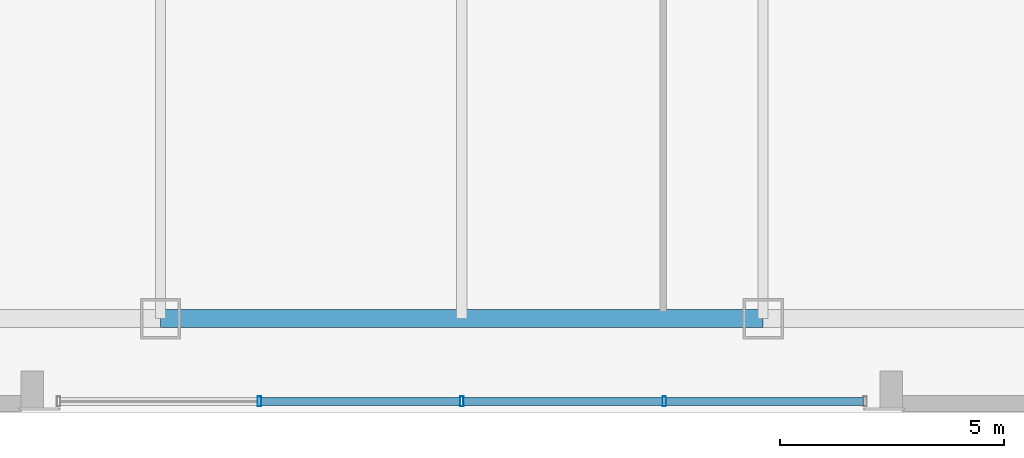
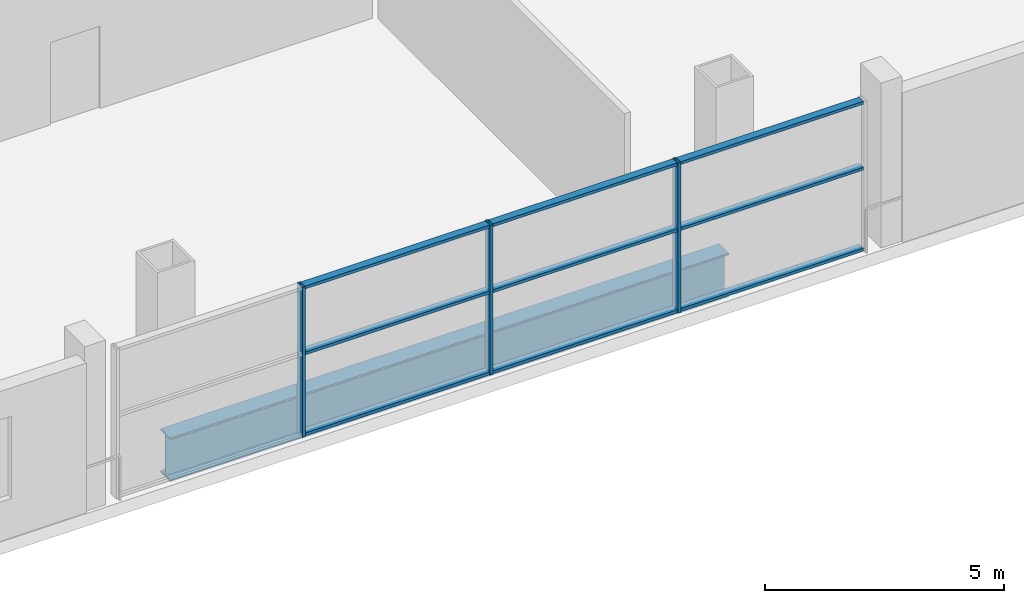
# One storey, part 4 of 21: 12 members, 1 beam, 1 element without a shape of its own.
"""IFC4 building model written with IfcOpenShell, lengths in metres."""

from ifc_helpers import new_model, si_unit, direction, frame, origin, origin_2d, place, context, subcontext, project, spatial, hollow_rectangle, i_section, extrude, material, layer, layer_set, material_profile, profile_set, type_object, element, aggregate, save


model = new_model("IFC4")

# Units and contexts
model_context = context("Model", 3, precision=1e-05, world=origin(), true_north=direction((0.0, 1.0)))
body_context = subcontext(model_context, "Body", "Model", "MODEL_VIEW")
ifc_project = project(units=[si_unit("LENGTHUNIT", "METRE"), si_unit("AREAUNIT", "SQUARE_METRE"), si_unit("VOLUMEUNIT", "CUBIC_METRE"), si_unit("PLANEANGLEUNIT", "RADIAN"), si_unit("MASSUNIT", "GRAM", prefix="KILO")], contexts=[model_context])

# Site, building, storey
site_placement = place(None, origin())
site = spatial("IfcSite", under=ifc_project, at=site_placement, CompositionType="ELEMENT")
building_placement = place(site_placement, origin())
building = spatial("IfcBuilding", under=site, at=building_placement, Name="Qhalaya Broadcast Tower", CompositionType="ELEMENT")
storey_placement = place(building_placement, frame((0.0, 0.0, 17.699951171875)))
storey = spatial("IfcBuildingStorey", under=building, at=storey_placement, Name="L04", CompositionType="ELEMENT", Elevation=17.699951171875)

# Beam
ifc_material_1 = material(Name="Structural Steel ASTM A992 Grade 50", Category="steel")
ifc_material_profile_1 = material_profile(ifc_material_1, i_section(OverallWidth=0.404052734375, OverallDepth=1.117919921875, WebThickness=0.026123046875, FlangeThickness=0.044921875, at=origin_2d()), Name="W44X335")
ifc_profile_set_1 = profile_set([ifc_material_profile_1], Name="Structural Steel ASTM A992 Grade 50")
beam_type = type_object("IfcBeamType", Name="Podium Long-Span Primary Girder PG1", PredefinedType="USERDEFINED", material=ifc_profile_set_1)
beam_placement = place(storey_placement, frame((-6.7333984375, -25.89990234375, -0.87890625), z_axis=(1.0, 0.0, 0.0), x_axis=(0.0, 1.0, 0.0)))
element("IfcBeam", 1, at=beam_placement, inside=storey, type_object=beam_type, Name="L04 PG1 L04-PG-R02", ObjectType="GIRDER", PredefinedType="USERDEFINED", context=body_context, shape_type="SweptSolid", body=[
    extrude(i_section(OverallWidth=0.404052734375, OverallDepth=1.117919921875, WebThickness=0.026123046875, FlangeThickness=0.044921875, at=origin_2d()), origin(), (0.0, 0.0, 1.0), 13.466796875),
])

# Curtain wall, members
ifc_material_2 = material(Name="Solar-Control Low-E Triple Glazing", Category="glass")
ifc_layer = layer(ifc_material_2, 0.219970703125, Name="Solar-Control Low-E Triple Glazing")
ifc_layer_set = layer_set([ifc_layer], Name="Solar-Control Low-E Triple Glazing")
curtain_wall_type = type_object("IfcCurtainWallType", Name="Podium Concourse Triple-Height Glazed Portal CW-01", PredefinedType="NOTDEFINED", material=ifc_layer_set)
curtain_wall_placement = place(storey_placement, origin())
curtain_wall = element("IfcCurtainWall", 2, at=curtain_wall_placement, inside=storey, type_object=curtain_wall_type, Name="L04 Unitised Curtain Wall L04-CW01-S", PredefinedType="NOTDEFINED")
ifc_material_3 = material(Name="Anodised Aluminium 6063-T6", Category="aluminium")
ifc_material_profile_2 = material_profile(ifc_material_3, hollow_rectangle(XDim=0.074951171875, YDim=0.219970703125, WallThickness=0.00390625, at=origin_2d()), Name="ALU-MUL 75x220x4")
ifc_profile_set_2 = profile_set([ifc_material_profile_2], Name="Anodised Aluminium 6063-T6")
member_type_1 = type_object("IfcMemberType", Name="Unitised Curtain-Wall Mullion M01", PredefinedType="MULLION", material=ifc_profile_set_2)
member_1_placement = place(storey_placement, frame((-4.52490234375, -27.75, 0.0), z_axis=(0.0, 0.0, 1.0), x_axis=(1.0, 0.0, 0.0)))
member_1 = element("IfcMember", 3, at=member_1_placement, type_object=member_type_1, Name="CW-01 mullion 2", PredefinedType="MULLION", context=body_context, shape_type="SweptSolid", body=[
    extrude(hollow_rectangle(XDim=0.074951171875, YDim=0.219970703125, WallThickness=0.00390625, at=origin_2d()), origin(), (0.0, 0.0, 1.0), 3.820068359375),
])
member_2_placement = place(storey_placement, frame((0.0, -27.75, 0.0), z_axis=(0.0, 0.0, 1.0), x_axis=(1.0, 0.0, 0.0)))
member_2 = element("IfcMember", 4, at=member_2_placement, type_object=member_type_1, Name="CW-01 mullion 3", PredefinedType="MULLION", context=body_context, shape_type="SweptSolid", body=[
    extrude(hollow_rectangle(XDim=0.074951171875, YDim=0.219970703125, WallThickness=0.00390625, at=origin_2d()), origin(), (0.0, 0.0, 1.0), 3.820068359375),
])
member_3_placement = place(storey_placement, frame((4.52490234375, -27.75, 0.0), z_axis=(0.0, 0.0, 1.0), x_axis=(1.0, 0.0, 0.0)))
member_3 = element("IfcMember", 5, at=member_3_placement, type_object=member_type_1, Name="CW-01 mullion 4", PredefinedType="MULLION", context=body_context, shape_type="SweptSolid", body=[
    extrude(hollow_rectangle(XDim=0.074951171875, YDim=0.219970703125, WallThickness=0.00390625, at=origin_2d()), origin(), (0.0, 0.0, 1.0), 3.820068359375),
])
ifc_material_profile_3 = material_profile(ifc_material_3, hollow_rectangle(XDim=0.074951171875, YDim=0.179931640625, WallThickness=0.00390625, at=origin_2d()), Name="ALU-TRN 75x180x4")
ifc_profile_set_3 = profile_set([ifc_material_profile_3], Name="Anodised Aluminium 6063-T6")
member_type_2 = type_object("IfcMemberType", Name="Unitised Curtain-Wall Transom T01", PredefinedType="USERDEFINED", material=ifc_profile_set_3)
member_4_placement = place(storey_placement, frame((-4.487548828125, -27.75, 0.03759765625), z_axis=(1.0, 0.0, 0.0), x_axis=(0.0, 0.0, 1.0)))
member_4 = element("IfcMember", 6, at=member_4_placement, type_object=member_type_2, Name="CW-01 transom 2.1", ObjectType="TRANSOM", PredefinedType="USERDEFINED", context=body_context, shape_type="SweptSolid", body=[
    extrude(hollow_rectangle(XDim=0.074951171875, YDim=0.179931640625, WallThickness=0.00390625, at=origin_2d()), origin(), (0.0, 0.0, 1.0), 4.449951171875),
])
member_5_placement = place(storey_placement, frame((-4.487548828125, -27.75, 2.10107421875), z_axis=(1.0, 0.0, 0.0), x_axis=(0.0, 0.0, 1.0)))
member_5 = element("IfcMember", 7, at=member_5_placement, type_object=member_type_2, Name="CW-01 transom 2.2", ObjectType="TRANSOM", PredefinedType="USERDEFINED", context=body_context, shape_type="SweptSolid", body=[
    extrude(hollow_rectangle(XDim=0.074951171875, YDim=0.179931640625, WallThickness=0.00390625, at=origin_2d()), origin(), (0.0, 0.0, 1.0), 4.449951171875),
])
member_6_placement = place(storey_placement, frame((-4.487548828125, -27.75, 3.782470703125), z_axis=(1.0, 0.0, 0.0), x_axis=(0.0, 0.0, 1.0)))
member_6 = element("IfcMember", 8, at=member_6_placement, type_object=member_type_2, Name="CW-01 transom 2.3", ObjectType="TRANSOM", PredefinedType="USERDEFINED", context=body_context, shape_type="SweptSolid", body=[
    extrude(hollow_rectangle(XDim=0.074951171875, YDim=0.179931640625, WallThickness=0.00390625, at=origin_2d()), origin(), (0.0, 0.0, 1.0), 4.449951171875),
])
member_7_placement = place(storey_placement, frame((0.03759765625, -27.75, 0.03759765625), z_axis=(1.0, 0.0, 0.0), x_axis=(0.0, 0.0, 1.0)))
member_7 = element("IfcMember", 9, at=member_7_placement, type_object=member_type_2, Name="CW-01 transom 3.1", ObjectType="TRANSOM", PredefinedType="USERDEFINED", context=body_context, shape_type="SweptSolid", body=[
    extrude(hollow_rectangle(XDim=0.074951171875, YDim=0.179931640625, WallThickness=0.00390625, at=origin_2d()), origin(), (0.0, 0.0, 1.0), 4.449951171875),
])
member_8_placement = place(storey_placement, frame((0.03759765625, -27.75, 2.10107421875), z_axis=(1.0, 0.0, 0.0), x_axis=(0.0, 0.0, 1.0)))
member_8 = element("IfcMember", 10, at=member_8_placement, type_object=member_type_2, Name="CW-01 transom 3.2", ObjectType="TRANSOM", PredefinedType="USERDEFINED", context=body_context, shape_type="SweptSolid", body=[
    extrude(hollow_rectangle(XDim=0.074951171875, YDim=0.179931640625, WallThickness=0.00390625, at=origin_2d()), origin(), (0.0, 0.0, 1.0), 4.449951171875),
])
member_9_placement = place(storey_placement, frame((0.03759765625, -27.75, 3.782470703125), z_axis=(1.0, 0.0, 0.0), x_axis=(0.0, 0.0, 1.0)))
member_9 = element("IfcMember", 11, at=member_9_placement, type_object=member_type_2, Name="CW-01 transom 3.3", ObjectType="TRANSOM", PredefinedType="USERDEFINED", context=body_context, shape_type="SweptSolid", body=[
    extrude(hollow_rectangle(XDim=0.074951171875, YDim=0.179931640625, WallThickness=0.00390625, at=origin_2d()), origin(), (0.0, 0.0, 1.0), 4.449951171875),
])
member_10_placement = place(storey_placement, frame((4.5625, -27.75, 0.03759765625), z_axis=(1.0, 0.0, 0.0), x_axis=(0.0, 0.0, 1.0)))
member_10 = element("IfcMember", 12, at=member_10_placement, type_object=member_type_2, Name="CW-01 transom 4.1", ObjectType="TRANSOM", PredefinedType="USERDEFINED", context=body_context, shape_type="SweptSolid", body=[
    extrude(hollow_rectangle(XDim=0.074951171875, YDim=0.179931640625, WallThickness=0.00390625, at=origin_2d()), origin(), (0.0, 0.0, 1.0), 4.41259765625),
])
member_11_placement = place(storey_placement, frame((4.5625, -27.75, 2.10107421875), z_axis=(1.0, 0.0, 0.0), x_axis=(0.0, 0.0, 1.0)))
member_11 = element("IfcMember", 13, at=member_11_placement, type_object=member_type_2, Name="CW-01 transom 4.2", ObjectType="TRANSOM", PredefinedType="USERDEFINED", context=body_context, shape_type="SweptSolid", body=[
    extrude(hollow_rectangle(XDim=0.074951171875, YDim=0.179931640625, WallThickness=0.00390625, at=origin_2d()), origin(), (0.0, 0.0, 1.0), 4.41259765625),
])
member_12_placement = place(storey_placement, frame((4.5625, -27.75, 3.782470703125), z_axis=(1.0, 0.0, 0.0), x_axis=(0.0, 0.0, 1.0)))
member_12 = element("IfcMember", 14, at=member_12_placement, type_object=member_type_2, Name="CW-01 transom 4.3", ObjectType="TRANSOM", PredefinedType="USERDEFINED", context=body_context, shape_type="SweptSolid", body=[
    extrude(hollow_rectangle(XDim=0.074951171875, YDim=0.179931640625, WallThickness=0.00390625, at=origin_2d()), origin(), (0.0, 0.0, 1.0), 4.41259765625),
])
aggregate(curtain_wall, [member_1, member_2, member_3, member_4, member_5, member_6, member_7, member_8, member_9, member_10, member_11, member_12])

save(model, "model.ifc")
